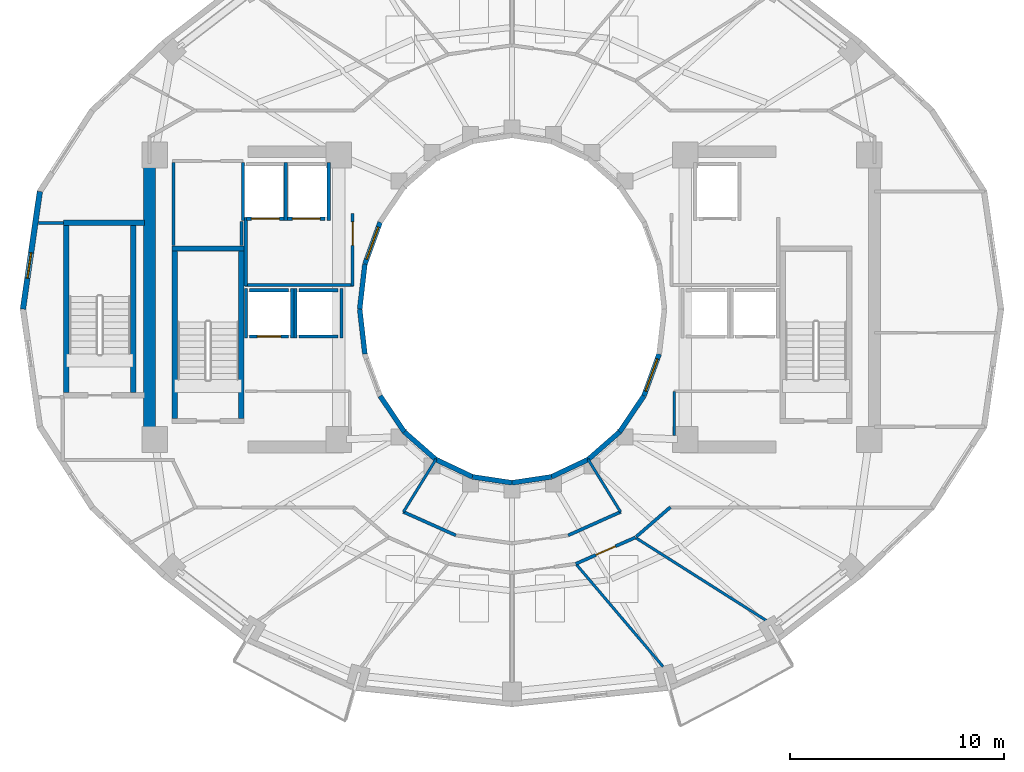
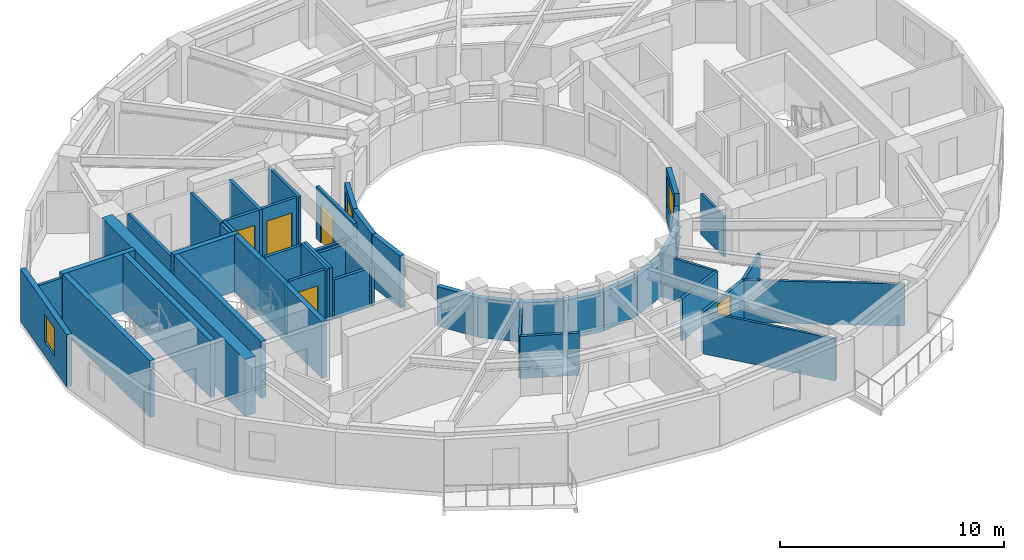
# One storey, part 4 of 10: 48 walls, 5 doors, 3 windows, 8 openings.
"""IFC4 building model written with IfcOpenShell, lengths in metres."""

from ifc_helpers import new_model, si_unit, direction, frame, frame_2d, origin, place, context, subcontext, project, spatial, rectangle, extrude, material, layer, layer_set, type_object, element, fill, save


model = new_model("IFC4")

# Units and contexts
model_context = context("Model", 3, precision=1e-05, world=origin(), true_north=direction((0.0, 1.0)))
body_context = subcontext(model_context, "Body", "Model", "MODEL_VIEW")
ifc_project = project(units=[si_unit("LENGTHUNIT", "METRE"), si_unit("AREAUNIT", "SQUARE_METRE"), si_unit("VOLUMEUNIT", "CUBIC_METRE"), si_unit("PLANEANGLEUNIT", "RADIAN"), si_unit("MASSUNIT", "GRAM", prefix="KILO")], contexts=[model_context])

# Site, building, storey
site_placement = place(None, origin())
site = spatial("IfcSite", under=ifc_project, at=site_placement, CompositionType="ELEMENT")
building_placement = place(site_placement, origin())
building = spatial("IfcBuilding", under=site, at=building_placement, Name="Solvane Sanctuary Tower", CompositionType="ELEMENT")
storey_placement = place(building_placement, frame((0.0, 0.0, 183.89990234375)))
storey = spatial("IfcBuildingStorey", under=building, at=storey_placement, Name="L56", CompositionType="ELEMENT", Elevation=183.89990234375)

# Walls
ifc_material_1 = material(Name="Concrete C50/60", Category="concrete")
ifc_layer_1 = layer(ifc_material_1, 0.550048828125, Name="Concrete C50/60")
ifc_layer_set_1 = layer_set([ifc_layer_1], Name="Concrete C50/60")
wall_type_1 = type_object("IfcWallType", Name="Wall W-CORE-550", PredefinedType="SHEAR", material=ifc_layer_set_1)
wall_1_placement = place(storey_placement, frame((15.050048828125, 17.050048828125, 0.0), z_axis=(0.0, 0.0, 1.0), x_axis=(0.0, 1.0, 0.0)))
element("IfcWall", 1, at=wall_1_placement, inside=storey, type_object=wall_type_1, Name="L56 Core Shear Wall WC-W", PredefinedType="SHEAR", context=body_context, shape_type="SweptSolid", body=[
    extrude(rectangle(XDim=12.800048828125, YDim=0.550048828125, at=frame_2d((6.39990234375, 0.0))), origin(), (0.0, 0.0, 1.0), 3.10009765625),
])
ifc_material_2 = material(Name="Acoustic Gypsum Partition Board")
ifc_layer_2 = layer(ifc_material_2, 0.14990234375, Name="Acoustic Gypsum Partition Board")
ifc_layer_set_2 = layer_set([ifc_layer_2], Name="Acoustic Gypsum Partition Board")
wall_type_2 = type_object("IfcWallType", Name="Wall W-CORR-150", PredefinedType="PARTITIONING", material=ifc_layer_set_2)
wall_2_placement = place(storey_placement, frame((19.52001953125, 24.1201171875, 0.0), z_axis=(0.0, 0.0, 1.0), x_axis=(1.0, 0.0, 0.0)))
element("IfcWall", 2, at=wall_2_placement, inside=storey, type_object=wall_type_2, Name="L56 West Firefighting Lobby South Wall", PredefinedType="PARTITIONING", context=body_context, shape_type="SweptSolid", body=[
    extrude(rectangle(XDim=5.080078125, YDim=0.14990234375, at=frame_2d((2.5400390625, 0.0))), origin(), (0.0, 0.0, 1.0), 2.1201171875),
])
wall_3_placement = place(storey_placement, frame((19.550048828125, 24.080078125, 0.0), z_axis=(0.0, 0.0, 1.0), x_axis=(0.0, 1.0, 0.0)))
element("IfcWall", 3, at=wall_3_placement, inside=storey, type_object=wall_type_2, Name="L56 West Firefighting Lobby West Wall", PredefinedType="PARTITIONING", context=body_context, shape_type="SweptSolid", body=[
    extrude(rectangle(XDim=3.199951171875, YDim=0.14990234375, at=frame_2d((1.60009765625, 0.0))), origin(), (0.0, 0.0, 1.0), 2.85498046875),
])

# Wall, opening, door
wall_4_placement = place(storey_placement, frame((24.550048828125, 24.080078125, 0.0), z_axis=(0.0, 0.0, 1.0), x_axis=(0.0, 1.0, 0.0)))
wall_4 = element("IfcWall", 4, at=wall_4_placement, inside=storey, type_object=wall_type_2, Name="L56 West Firefighting Lobby East Wall", PredefinedType="PARTITIONING", context=body_context, shape_type="SweptSolid", body=[
    extrude(rectangle(XDim=3.39990234375, YDim=0.14990234375, at=frame_2d((1.699951171875, 0.0))), origin(), (0.0, 0.0, 1.0), 2.85498046875),
])
opening_1_placement = place(wall_4_placement, frame((1.893798828125, 0.0, 0.0)))
opening_1 = element("IfcOpeningElement", 5, at=opening_1_placement, cuts=wall_4, Name="Opening D-L56-08", PredefinedType="OPENING", context=body_context, shape_type="SweptSolid", body=[
    extrude(rectangle(XDim=1.10009765625, YDim=2.10009765625, at=frame_2d((0.550048828125, 1.050048828125))), frame((0.0, 0.0849609375, 0.0), z_axis=(0.0, -1.0, 0.0), x_axis=(1.0, 0.0, 0.0)), (0.0, 0.0, 1.0), 0.169921875),
])
ifc_material_3 = material(Name="Architectural Stainless Steel 316", Category="steel")
door_type_1 = type_object("IfcDoorType", Name="Door D-FFL", OperationType="NOTDEFINED", PredefinedType="DOOR", material=ifc_material_3)
door_1_placement = place(opening_1_placement, origin())
door_1 = element("IfcDoor", 6, at=door_1_placement, inside=storey, type_object=door_type_1, Name="L56 West Firefighting Lobby Fire Door", OperationType="SINGLE_SWING_RIGHT", OverallHeight=2.10009765625, OverallWidth=1.10009765625, PredefinedType="DOOR", context=body_context, shape_type="SweptSolid", body=[
    extrude(rectangle(XDim=1.10009765625, YDim=2.10009765625, at=frame_2d((0.550048828125, 1.050048828125))), frame((0.0, 0.02490234375, 0.0), z_axis=(0.0, -1.0, 0.0), x_axis=(1.0, 0.0, 0.0)), (0.0, 0.0, 1.0), 0.050048828125),
])
fill(opening_1, door_1)

# Walls
wall_5_placement = place(storey_placement, frame((9.869873046875, 27.030029296875, 0.0), z_axis=(0.0, 0.0, 1.0), x_axis=(1.0, 0.0, 0.0)))
element("IfcWall", 7, at=wall_5_placement, inside=storey, type_object=wall_type_2, Name="L56 NW Corner Closer 1", PredefinedType="PARTITIONING", context=body_context, shape_type="SweptSolid", body=[
    extrude(rectangle(XDim=1.170166015625, YDim=0.14990234375, at=frame_2d((0.5849609375, 0.0))), origin(), (0.0, 0.0, 1.0), 2.85498046875),
])
wall_6_placement = place(storey_placement, frame((37.806640625, 12.35791015625, 0.0), z_axis=(0.0, 0.0, 1.0), x_axis=(0.756055312247, 0.654507727092, 0.0)))
element("IfcWall", 8, at=wall_6_placement, inside=storey, type_object=wall_type_2, Name="L56 SE Corner Throat Wall", PredefinedType="PARTITIONING", context=body_context, shape_type="SweptSolid", body=[
    extrude(rectangle(XDim=2.11083984375, YDim=0.14990234375, at=frame_2d((1.055419921875, 0.0))), origin(), (0.0, 0.0, 1.0), 2.299072265625),
])
for number, where, z_axis, x_axis, name in (
    (9, (26.9189453125, 13.520751953125, 0.0), (0.0, 0.0, 1.0), (0.912888568324, -0.408208845842, 0.0), "L56 Inner Light-Well Corridor Wall S1"),
    (10, (34.625244140625, 12.422607421875, 0.0), (0.0, 0.0, 1.0), (0.912888568324, 0.408208845842, 0.0), "L56 Inner Light-Well Corridor Wall S1"),
):
    element("IfcWall", number, at=place(storey_placement, frame(where, z_axis=z_axis, x_axis=x_axis)), inside=storey, type_object=wall_type_2, Name=name, PredefinedType="PARTITIONING", context=body_context, shape_type="SweptSolid", body=[
        extrude(rectangle(XDim=2.690185546875, YDim=0.14990234375, at=frame_2d((1.34521484375, 0.0))), origin(), (0.0, 0.0, 1.0), 2.299072265625),
    ])

# Wall, opening, door
wall_7_placement = place(storey_placement, frame((34.976318359375, 11.087890625, 0.0), z_axis=(0.0, 0.0, 1.0), x_axis=(0.914324470734, 0.404982422108, 0.0)))
wall_7 = element("IfcWall", 11, at=wall_7_placement, inside=storey, type_object=wall_type_2, Name="L56 Unit Corridor Wall S4", PredefinedType="PARTITIONING", context=body_context, shape_type="SweptSolid", body=[
    extrude(rectangle(XDim=3.0576171875, YDim=0.14990234375, at=frame_2d((1.52880859375, 0.0))), origin(), (0.0, 0.0, 1.0), 2.299072265625),
])
opening_2_placement = place(wall_7_placement, frame((1.02880859375, 0.0, 0.0)))
opening_2 = element("IfcOpeningElement", 12, at=opening_2_placement, cuts=wall_7, Name="Opening D-L56-31", PredefinedType="OPENING", context=body_context, shape_type="SweptSolid", body=[
    extrude(rectangle(XDim=1.0, YDim=2.10009765625, at=frame_2d((0.5, 1.050048828125))), frame((0.0, 0.0849609375, 0.0), z_axis=(0.0, -1.0, 0.0), x_axis=(1.0, 0.0, 0.0)), (0.0, 0.0, 1.0), 0.169921875),
])
ifc_material_4 = material(Name="Engineered Tropical Hardwood", Category="wood")
door_type_2 = type_object("IfcDoorType", Name="Door D-UNIT", OperationType="NOTDEFINED", PredefinedType="DOOR", material=ifc_material_4)
door_2_placement = place(opening_2_placement, origin())
door_2 = element("IfcDoor", 13, at=door_2_placement, inside=storey, type_object=door_type_2, Name="L56 Unit Entrance Door S4", OperationType="SINGLE_SWING_LEFT", OverallHeight=2.10009765625, OverallWidth=1.0, PredefinedType="DOOR", context=body_context, shape_type="SweptSolid", body=[
    extrude(rectangle(XDim=1.0, YDim=2.10009765625, at=frame_2d((0.5, 1.050048828125))), frame((0.0, 0.02490234375, 0.0), z_axis=(0.0, -1.0, 0.0), x_axis=(1.0, 0.0, 0.0)), (0.0, 0.0, 1.0), 0.050048828125),
])
fill(opening_2, door_2)

# Wall, opening, window
ifc_material_5 = material(Name="Precast concrete C40/50", Category="concrete")
ifc_layer_3 = layer(ifc_material_5, 0.260009765625, Name="Precast concrete C40/50")
ifc_layer_set_3 = layer_set([ifc_layer_3], Name="Precast concrete C40/50")
wall_type_3 = type_object("IfcWallType", Name="Wall W-EXT-250", PredefinedType="STANDARD", material=ifc_layer_set_3)
wall_8_placement = place(storey_placement, frame((9.9296875, 28.49658203125, 0.0), z_axis=(0.0, 0.0, 1.0), x_axis=(-0.142227632286, -0.989833976288, 0.0)))
wall_8 = element("IfcWall", 14, at=wall_8_placement, inside=storey, type_object=wall_type_3, Name="L56 Ceramic-Printed Facade Wall 11", PredefinedType="STANDARD", context=body_context, shape_type="SweptSolid", body=[
    extrude(rectangle(XDim=5.552978515625, YDim=0.260009765625, at=frame_2d((2.7763671875, 0.0))), origin(), (0.0, 0.0, 1.0), 2.85009765625),
])
opening_3_placement = place(wall_8_placement, frame((2.892333984375, 0.0, 0.75)))
opening_3 = element("IfcOpeningElement", 15, at=opening_3_placement, cuts=wall_8, Name="Opening WN-OPER-1200", PredefinedType="OPENING", context=body_context, shape_type="SweptSolid", body=[
    extrude(rectangle(XDim=1.199951171875, YDim=1.5, at=frame_2d((0.60009765625, 0.75))), frame((0.0, 0.139892578125, 0.0), z_axis=(0.0, -1.0, 0.0), x_axis=(1.0, 0.0, 0.0)), (0.0, 0.0, 1.0), 0.280029296875),
])
ifc_material_6 = material(Name="Dark Ceramic-Fritted Low-E Glass", Category="glass")
window_type_1 = type_object("IfcWindowType", Name="Window WN-OPER-1200", PartitioningType="SINGLE_PANEL", PredefinedType="WINDOW", material=ifc_material_6)
window_1_placement = place(opening_3_placement, origin())
window_1 = element("IfcWindow", 16, at=window_1_placement, inside=storey, type_object=window_type_1, Name="L56 Operable Facade Window 11", OverallHeight=1.5, OverallWidth=1.199951171875, PartitioningType="SINGLE_PANEL", PredefinedType="WINDOW", context=body_context, shape_type="SweptSolid", body=[
    extrude(rectangle(XDim=1.199951171875, YDim=1.5, at=frame_2d((0.60009765625, 0.75))), frame((0.0, 0.030029296875, 0.0), z_axis=(0.0, -1.0, 0.0), x_axis=(1.0, 0.0, 0.0)), (0.0, 0.0, 1.0), 0.06005859375),
])
fill(opening_3, window_1)

ifc_layer_4 = layer(ifc_material_5, 0.22998046875, Name="Precast concrete C40/50")
ifc_layer_set_4 = layer_set([ifc_layer_4], Name="Precast concrete C40/50")
wall_type_4 = type_object("IfcWallType", Name="Wall W-EXT-SP220", PredefinedType="STANDARD", material=ifc_layer_set_4)
wall_9_placement = place(storey_placement, frame((25.833984375, 27.06005859375, 0.0), z_axis=(0.0, 0.0, 1.0), x_axis=(-0.341423187295, -0.93990968033, 0.0)))
wall_9 = element("IfcWall", 17, at=wall_9_placement, inside=storey, type_object=wall_type_4, Name="L56 Central Light-Well Wall 10", PredefinedType="STANDARD", context=body_context, shape_type="SweptSolid", body=[
    extrude(rectangle(XDim=2.083740234375, YDim=0.22998046875, at=frame_2d((1.0419921875, 0.0))), origin(), (0.0, 0.0, 1.0), 2.840087890625),
])
opening_4_placement = place(wall_9_placement, frame((0.24169921875, 0.0, 0.85009765625)))
opening_4 = element("IfcOpeningElement", 18, at=opening_4_placement, cuts=wall_9, Name="Opening WN-WELL-1600", PredefinedType="OPENING", context=body_context, shape_type="SweptSolid", body=[
    extrude(rectangle(XDim=1.60009765625, YDim=1.64990234375, at=frame_2d((0.800048828125, 0.824951171875))), frame((0.0, 0.125, 0.0), z_axis=(0.0, -1.0, 0.0), x_axis=(1.0, 0.0, 0.0)), (0.0, 0.0, 1.0), 0.25),
])
ifc_material_7 = material(Name="Clear Laminated Light-Well Glass", Category="glass")
window_type_2 = type_object("IfcWindowType", Name="Window WN-WELL-1600", PartitioningType="SINGLE_PANEL", PredefinedType="WINDOW", material=ifc_material_7)
window_2_placement = place(opening_4_placement, origin())
window_2 = element("IfcWindow", 19, at=window_2_placement, inside=storey, type_object=window_type_2, Name="L56 Light-Well Daylight Window 10", OverallHeight=1.64990234375, OverallWidth=1.60009765625, PartitioningType="SINGLE_PANEL", PredefinedType="WINDOW", context=body_context, shape_type="SweptSolid", body=[
    extrude(rectangle(XDim=1.60009765625, YDim=1.64990234375, at=frame_2d((0.800048828125, 0.824951171875))), frame((0.0, 0.030029296875, 0.0), z_axis=(0.0, -1.0, 0.0), x_axis=(1.0, 0.0, 0.0)), (0.0, 0.0, 1.0), 0.06005859375),
])
fill(opening_4, window_2)

# Walls
for number, where, z_axis, x_axis, name in (
    (20, (25.12255859375, 25.1015625, 0.0), (0.0, 0.0, 1.0), (-0.114711713601, -0.993398823617, 0.0), "L56 Central Light-Well Wall 11"),
    (21, (24.8798828125, 23.0, 0.0), (0.0, 0.0, 1.0), (0.114711713601, -0.993398823617, 0.0), "L56 Central Light-Well Wall 12"),
):
    element("IfcWall", number, at=place(storey_placement, frame(where, z_axis=z_axis, x_axis=x_axis)), inside=storey, type_object=wall_type_4, Name=name, PredefinedType="STANDARD", context=body_context, shape_type="SweptSolid", body=[
        extrude(rectangle(XDim=2.115478515625, YDim=0.22998046875, at=frame_2d((1.0576171875, 0.0))), origin(), (0.0, 0.0, 1.0), 2.840087890625),
    ])
wall_10_placement = place(storey_placement, frame((25.833984375, 18.93994140625, 0.0), z_axis=(0.0, 0.0, 1.0), x_axis=(0.558197800898, -0.829707909492, 0.0)))
element("IfcWall", 22, at=wall_10_placement, inside=storey, type_object=wall_type_4, Name="L56 Central Light-Well Wall 14", PredefinedType="STANDARD", context=body_context, shape_type="SweptSolid", body=[
    extrude(rectangle(XDim=2.02685546875, YDim=0.22998046875, at=frame_2d((1.013427734375, 0.0))), origin(), (0.0, 0.0, 1.0), 2.16015625),
])
wall_11_placement = place(storey_placement, frame((26.96533203125, 17.25830078125, 0.0), z_axis=(0.0, 0.0, 1.0), x_axis=(0.752576694707, -0.658504607869, 0.0)))
element("IfcWall", 23, at=wall_11_placement, inside=storey, type_object=wall_type_4, Name="L56 Central Light-Well Wall 15", PredefinedType="STANDARD", context=body_context, shape_type="SweptSolid", body=[
    extrude(rectangle(XDim=1.95947265625, YDim=0.22998046875, at=frame_2d((0.979736328125, 0.0))), origin(), (0.0, 0.0, 1.0), 2.16015625),
])
wall_12_placement = place(storey_placement, frame((28.43994140625, 15.968017578125, 0.0), z_axis=(0.0, 0.0, 1.0), x_axis=(0.904179699603, -0.427152280606, 0.0)))
element("IfcWall", 24, at=wall_12_placement, inside=storey, type_object=wall_type_4, Name="L56 Central Light-Well Wall 16", PredefinedType="STANDARD", context=body_context, shape_type="SweptSolid", body=[
    extrude(rectangle(XDim=1.899169921875, YDim=0.22998046875, at=frame_2d((0.94970703125, 0.0))), origin(), (0.0, 0.0, 1.0), 2.16015625),
])
for number, where, z_axis, x_axis, name in (
    (25, (30.1572265625, 15.15673828125, 0.0), (0.0, 0.0, 1.0), (0.988901730308, -0.148571086668, 0.0), "L56 Central Light-Well Wall 17"),
    (26, (32.0, 14.8798828125, 0.0), (0.0, 0.0, 1.0), (0.988901730308, 0.148571086668, 0.0), "L56 Central Light-Well Wall 18"),
):
    element("IfcWall", number, at=place(storey_placement, frame(where, z_axis=z_axis, x_axis=x_axis)), inside=storey, type_object=wall_type_4, Name=name, PredefinedType="STANDARD", context=body_context, shape_type="SweptSolid", body=[
        extrude(rectangle(XDim=1.863525390625, YDim=0.22998046875, at=frame_2d((0.931640625, 0.0))), origin(), (0.0, 0.0, 1.0), 2.16015625),
    ])
wall_13_placement = place(storey_placement, frame((33.8427734375, 15.15673828125, 0.0), z_axis=(0.0, 0.0, 1.0), x_axis=(0.904179699603, 0.427152280606, 0.0)))
element("IfcWall", 27, at=wall_13_placement, inside=storey, type_object=wall_type_4, Name="L56 Central Light-Well Wall 19", PredefinedType="STANDARD", context=body_context, shape_type="SweptSolid", body=[
    extrude(rectangle(XDim=1.899169921875, YDim=0.22998046875, at=frame_2d((0.94970703125, 0.0))), origin(), (0.0, 0.0, 1.0), 2.16015625),
])
wall_14_placement = place(storey_placement, frame((35.56005859375, 15.968017578125, 0.0), z_axis=(0.0, 0.0, 1.0), x_axis=(0.752576694707, 0.658504607869, 0.0)))
element("IfcWall", 28, at=wall_14_placement, inside=storey, type_object=wall_type_4, Name="L56 Central Light-Well Wall 20", PredefinedType="STANDARD", context=body_context, shape_type="SweptSolid", body=[
    extrude(rectangle(XDim=1.95947265625, YDim=0.22998046875, at=frame_2d((0.979736328125, 0.0))), origin(), (0.0, 0.0, 1.0), 2.16015625),
])
wall_15_placement = place(storey_placement, frame((37.03466796875, 17.25830078125, 0.0), z_axis=(0.0, 0.0, 1.0), x_axis=(0.558197800898, 0.829707909492, 0.0)))
element("IfcWall", 29, at=wall_15_placement, inside=storey, type_object=wall_type_4, Name="L56 Central Light-Well Wall 21", PredefinedType="STANDARD", context=body_context, shape_type="SweptSolid", body=[
    extrude(rectangle(XDim=2.02685546875, YDim=0.22998046875, at=frame_2d((1.013427734375, 0.0))), origin(), (0.0, 0.0, 1.0), 2.16015625),
])

# Wall, opening, window
wall_16_placement = place(storey_placement, frame((38.166015625, 18.93994140625, 0.0), z_axis=(0.0, 0.0, 1.0), x_axis=(0.341423187295, 0.93990968033, 0.0)))
wall_16 = element("IfcWall", 30, at=wall_16_placement, inside=storey, type_object=wall_type_4, Name="L56 Central Light-Well Wall 22", PredefinedType="STANDARD", context=body_context, shape_type="SweptSolid", body=[
    extrude(rectangle(XDim=2.083740234375, YDim=0.22998046875, at=frame_2d((1.0419921875, 0.0))), origin(), (0.0, 0.0, 1.0), 2.840087890625),
])
opening_5_placement = place(wall_16_placement, frame((0.24169921875, 0.0, 0.85009765625)))
opening_5 = element("IfcOpeningElement", 31, at=opening_5_placement, cuts=wall_16, Name="Opening WN-WELL-1600", PredefinedType="OPENING", context=body_context, shape_type="SweptSolid", body=[
    extrude(rectangle(XDim=1.60009765625, YDim=1.64990234375, at=frame_2d((0.800048828125, 0.824951171875))), frame((0.0, 0.125, 0.0), z_axis=(0.0, -1.0, 0.0), x_axis=(1.0, 0.0, 0.0)), (0.0, 0.0, 1.0), 0.25),
])
window_3_placement = place(opening_5_placement, origin())
window_3 = element("IfcWindow", 32, at=window_3_placement, inside=storey, type_object=window_type_2, Name="L56 Light-Well Daylight Window 22", OverallHeight=1.64990234375, OverallWidth=1.60009765625, PartitioningType="SINGLE_PANEL", PredefinedType="WINDOW", context=body_context, shape_type="SweptSolid", body=[
    extrude(rectangle(XDim=1.60009765625, YDim=1.64990234375, at=frame_2d((0.800048828125, 0.824951171875))), frame((0.0, 0.030029296875, 0.0), z_axis=(0.0, -1.0, 0.0), x_axis=(1.0, 0.0, 0.0)), (0.0, 0.0, 1.0), 0.06005859375),
])
fill(opening_5, window_3)

# Walls
ifc_layer_5 = layer(ifc_material_2, 0.125, Name="Acoustic Gypsum Partition Board")
ifc_layer_set_5 = layer_set([ifc_layer_5], Name="Acoustic Gypsum Partition Board")
wall_type_5 = type_object("IfcWallType", Name="Wall W-PART-125", PredefinedType="PARTITIONING", material=ifc_layer_set_5)
wall_17_placement = place(storey_placement, frame((39.580078125, 17.10009765625, 0.0), z_axis=(0.0, 0.0, 1.0), x_axis=(0.0, 1.0, 0.0)))
element("IfcWall", 33, at=wall_17_placement, inside=storey, type_object=wall_type_5, Name="L56 Reclaimed Room Closer Wall PLE-1", PredefinedType="PARTITIONING", context=body_context, shape_type="SweptSolid", body=[
    extrude(rectangle(XDim=2.039794921875, YDim=0.125, at=frame_2d((1.02001953125, 0.0))), origin(), (0.0, 0.0, 1.0), 2.232177734375),
])
for number, where, z_axis, x_axis, name in (
    (34, (28.449951171875, 15.985107421875, 0.0), (0.0, 0.0, 1.0), (-0.525627246902, -0.850714991824, 0.0), "L56 Inner Light-Well Radial Wall 240"),
    (35, (35.550048828125, 15.985107421875, 0.0), (0.0, 0.0, 1.0), (0.525627246902, -0.850714991824, 0.0), "L56 Inner Light-Well Radial Wall 300"),
):
    element("IfcWall", number, at=place(storey_placement, frame(where, z_axis=z_axis, x_axis=x_axis)), inside=storey, type_object=wall_type_5, Name=name, PredefinedType="PARTITIONING", context=body_context, shape_type="SweptSolid", body=[
        extrude(rectangle(XDim=2.901123046875, YDim=0.125, at=frame_2d((1.45068359375, 0.0))), origin(), (0.0, 0.0, 1.0), 2.299072265625),
    ])
wall_18_placement = place(storey_placement, frame((35.019775390625, 11.048095703125, 0.0), z_axis=(0.0, 0.0, 1.0), x_axis=(0.647173462792, -0.762342776615, 0.0)))
element("IfcWall", 36, at=wall_18_placement, inside=storey, type_object=wall_type_5, Name="L56 Radial Compartment Wall 285", PredefinedType="PARTITIONING", context=body_context, shape_type="SweptSolid", body=[
    extrude(rectangle(XDim=6.25341796875, YDim=0.125, at=frame_2d((3.126708984375, 0.0))), origin(), (0.0, 0.0, 1.0), 2.299072265625),
])
wall_19_placement = place(storey_placement, frame((37.8115234375, 12.29248046875, 0.0), z_axis=(0.0, 0.0, 1.0), x_axis=(0.844640430122, -0.535334048799, 0.0)))
element("IfcWall", 37, at=wall_19_placement, inside=storey, type_object=wall_type_5, Name="L56 Radial Compartment Wall 300", PredefinedType="PARTITIONING", context=body_context, shape_type="SweptSolid", body=[
    extrude(rectangle(XDim=7.188232421875, YDim=0.125, at=frame_2d((3.59423828125, 0.0))), origin(), (0.0, 0.0, 1.0), 2.299072265625),
])

# Wall, opening, door
ifc_layer_6 = layer(ifc_material_1, 0.14990234375, Name="Concrete C50/60")
ifc_layer_set_6 = layer_set([ifc_layer_6], Name="Concrete C50/60")
wall_type_6 = type_object("IfcWallType", Name="Wall W-SHAFT-150", PredefinedType="SOLIDWALL", material=ifc_layer_set_6)
wall_20_placement = place(storey_placement, frame((19.739990234375, 21.719970703125, 0.0), z_axis=(0.0, 0.0, 1.0), x_axis=(1.0, 0.0, 0.0)))
wall_20 = element("IfcWall", 38, at=wall_20_placement, inside=storey, type_object=wall_type_6, Name="L56 PM-1 Lift Shaft Wall F", PredefinedType="SOLIDWALL", context=body_context, shape_type="SweptSolid", body=[
    extrude(rectangle(XDim=1.820068359375, YDim=0.14990234375, at=frame_2d((0.91015625, 0.0))), origin(), (0.0, 0.0, 1.0), 2.85498046875),
])
opening_6_placement = place(wall_20_placement, frame((0.360107421875, 0.0, 0.0)))
opening_6 = element("IfcOpeningElement", 39, at=opening_6_placement, cuts=wall_20, Name="Opening LD-L56-01", PredefinedType="OPENING", context=body_context, shape_type="SweptSolid", body=[
    extrude(rectangle(XDim=1.10009765625, YDim=2.10009765625, at=frame_2d((0.550048828125, 1.050048828125))), frame((0.0, 0.0849609375, 0.0), z_axis=(0.0, -1.0, 0.0), x_axis=(1.0, 0.0, 0.0)), (0.0, 0.0, 1.0), 0.169921875),
])
door_type_3 = type_object("IfcDoorType", Name="Door LD-PASS-1100", OperationType="NOTDEFINED", PredefinedType="DOOR", material=ifc_material_3)
door_3_placement = place(opening_6_placement, origin())
door_3 = element("IfcDoor", 40, at=door_3_placement, inside=storey, type_object=door_type_3, Name="L56 PM-1 Lift Landing Door", OperationType="DOUBLE_DOOR_SLIDING", OverallHeight=2.10009765625, OverallWidth=1.10009765625, PredefinedType="DOOR", context=body_context, shape_type="SweptSolid", body=[
    extrude(rectangle(XDim=1.10009765625, YDim=2.10009765625, at=frame_2d((0.550048828125, 1.050048828125))), frame((0.0, 0.02490234375, 0.0), z_axis=(0.0, -1.0, 0.0), x_axis=(1.0, 0.0, 0.0)), (0.0, 0.0, 1.0), 0.050048828125),
])
fill(opening_6, door_3)

# Walls
wall_21_placement = place(storey_placement, frame((19.739990234375, 23.8798828125, 0.0), z_axis=(0.0, 0.0, 1.0), x_axis=(1.0, 0.0, 0.0)))
element("IfcWall", 41, at=wall_21_placement, inside=storey, type_object=wall_type_6, Name="L56 PM-1 Lift Shaft Wall B", PredefinedType="SOLIDWALL", context=body_context, shape_type="SweptSolid", body=[
    extrude(rectangle(XDim=1.820068359375, YDim=0.14990234375, at=frame_2d((0.91015625, 0.0))), origin(), (0.0, 0.0, 1.0), 2.85498046875),
])
for number, where, z_axis, x_axis, name in (
    (42, (19.570068359375, 21.639892578125, 0.0), (0.0, 0.0, 1.0), (0.0, 1.0, 0.0), "L56 PM-1 Lift Shaft Wall S1"),
    (43, (21.72998046875, 21.639892578125, 0.0), (0.0, 0.0, 1.0), (0.0, 1.0, 0.0), "L56 PM-1 Lift Shaft Wall S2"),
):
    element("IfcWall", number, at=place(storey_placement, frame(where, z_axis=z_axis, x_axis=x_axis)), inside=storey, type_object=wall_type_6, Name=name, PredefinedType="SOLIDWALL", context=body_context, shape_type="SweptSolid", body=[
        extrude(rectangle(XDim=2.320068359375, YDim=0.14990234375, at=frame_2d((1.16015625, 0.0))), origin(), (0.0, 0.0, 1.0), 2.85498046875),
    ])
for number, where, z_axis, x_axis, name in (
    (44, (22.0400390625, 21.719970703125, 0.0), (0.0, 0.0, 1.0), (1.0, 0.0, 0.0), "L56 PH-1 Lift Shaft Wall F"),
    (45, (22.0400390625, 23.8798828125, 0.0), (0.0, 0.0, 1.0), (1.0, 0.0, 0.0), "L56 PH-1 Lift Shaft Wall B"),
):
    element("IfcWall", number, at=place(storey_placement, frame(where, z_axis=z_axis, x_axis=x_axis)), inside=storey, type_object=wall_type_6, Name=name, PredefinedType="SOLIDWALL", context=body_context, shape_type="SweptSolid", body=[
        extrude(rectangle(XDim=1.820068359375, YDim=0.14990234375, at=frame_2d((0.91015625, 0.0))), origin(), (0.0, 0.0, 1.0), 2.1201171875),
    ])
wall_22_placement = place(storey_placement, frame((21.8701171875, 21.639892578125, 0.0), z_axis=(0.0, 0.0, 1.0), x_axis=(0.0, 1.0, 0.0)))
element("IfcWall", 46, at=wall_22_placement, inside=storey, type_object=wall_type_6, Name="L56 PH-1 Lift Shaft Wall S1", PredefinedType="SOLIDWALL", context=body_context, shape_type="SweptSolid", body=[
    extrude(rectangle(XDim=2.320068359375, YDim=0.14990234375, at=frame_2d((1.16015625, 0.0))), origin(), (0.0, 0.0, 1.0), 2.85498046875),
])
wall_23_placement = place(storey_placement, frame((24.030029296875, 21.639892578125, 0.0), z_axis=(0.0, 0.0, 1.0), x_axis=(0.0, 1.0, 0.0)))
element("IfcWall", 47, at=wall_23_placement, inside=storey, type_object=wall_type_6, Name="L56 PH-1 Lift Shaft Wall S2", PredefinedType="SOLIDWALL", context=body_context, shape_type="SweptSolid", body=[
    extrude(rectangle(XDim=2.320068359375, YDim=0.14990234375, at=frame_2d((1.16015625, 0.0))), origin(), (0.0, 0.0, 1.0), 2.1201171875),
])

# Wall, opening, door
wall_24_placement = place(storey_placement, frame((19.590087890625, 27.219970703125, 0.0), z_axis=(0.0, 0.0, 1.0), x_axis=(1.0, 0.0, 0.0)))
wall_24 = element("IfcWall", 48, at=wall_24_placement, inside=storey, type_object=wall_type_6, Name="L56 FFL-1 Lift Shaft Wall F", PredefinedType="SOLIDWALL", context=body_context, shape_type="SweptSolid", body=[
    extrude(rectangle(XDim=1.760009765625, YDim=0.14990234375, at=frame_2d((0.8798828125, 0.0))), origin(), (0.0, 0.0, 1.0), 2.85498046875),
])
opening_7_placement = place(wall_24_placement, frame((0.22998046875, 0.0, 0.0)))
opening_7 = element("IfcOpeningElement", 49, at=opening_7_placement, cuts=wall_24, Name="Opening LD-L56-03", PredefinedType="OPENING", context=body_context, shape_type="SweptSolid", body=[
    extrude(rectangle(XDim=1.300048828125, YDim=2.10009765625, at=frame_2d((0.64990234375, 1.050048828125))), frame((0.0, 0.0849609375, 0.0), z_axis=(0.0, -1.0, 0.0), x_axis=(1.0, 0.0, 0.0)), (0.0, 0.0, 1.0), 0.169921875),
])
door_type_4 = type_object("IfcDoorType", Name="Door LD-FFL-1300", OperationType="NOTDEFINED", PredefinedType="DOOR", material=ifc_material_3)
door_4_placement = place(opening_7_placement, origin())
door_4 = element("IfcDoor", 50, at=door_4_placement, inside=storey, type_object=door_type_4, Name="L56 FFL-1 Lift Landing Door", OperationType="DOUBLE_DOOR_SLIDING", OverallHeight=2.10009765625, OverallWidth=1.300048828125, PredefinedType="DOOR", context=body_context, shape_type="SweptSolid", body=[
    extrude(rectangle(XDim=1.300048828125, YDim=2.10009765625, at=frame_2d((0.64990234375, 1.050048828125))), frame((0.0, 0.02490234375, 0.0), z_axis=(0.0, -1.0, 0.0), x_axis=(1.0, 0.0, 0.0)), (0.0, 0.0, 1.0), 0.050048828125),
])
fill(opening_7, door_4)

# Walls
for number, where, z_axis, x_axis, name in (
    (51, (19.419921875, 27.139892578125, 0.0), (0.0, 0.0, 1.0), (0.0, 1.0, 0.0), "L56 FFL-1 Lift Shaft Wall S1"),
    (52, (21.425048828125, 27.139892578125, 0.0), (0.0, 0.0, 1.0), (0.0, 1.0, 0.0), "L56 FFL-1 Lift Shaft Wall S2"),
):
    element("IfcWall", number, at=place(storey_placement, frame(where, z_axis=z_axis, x_axis=x_axis)), inside=storey, type_object=wall_type_6, Name=name, PredefinedType="SOLIDWALL", context=body_context, shape_type="SweptSolid", body=[
        extrude(rectangle(XDim=2.72021484375, YDim=0.14990234375, at=frame_2d((1.360107421875, 0.0))), origin(), (0.0, 0.0, 1.0), 2.85498046875),
    ])

# Wall, opening, door
wall_25_placement = place(storey_placement, frame((21.5, 27.219970703125, 0.0), z_axis=(0.0, 0.0, 1.0), x_axis=(1.0, 0.0, 0.0)))
wall_25 = element("IfcWall", 53, at=wall_25_placement, inside=storey, type_object=wall_type_6, Name="L56 SVL-1 Lift Shaft Wall F", PredefinedType="SOLIDWALL", context=body_context, shape_type="SweptSolid", body=[
    extrude(rectangle(XDim=1.760009765625, YDim=0.14990234375, at=frame_2d((0.8798828125, 0.0))), origin(), (0.0, 0.0, 1.0), 2.85498046875),
])
opening_8_placement = place(wall_25_placement, frame((0.22998046875, 0.0, 0.0)))
opening_8 = element("IfcOpeningElement", 54, at=opening_8_placement, cuts=wall_25, Name="Opening LD-L56-04", PredefinedType="OPENING", context=body_context, shape_type="SweptSolid", body=[
    extrude(rectangle(XDim=1.300048828125, YDim=2.10009765625, at=frame_2d((0.64990234375, 1.050048828125))), frame((0.0, 0.0849609375, 0.0), z_axis=(0.0, -1.0, 0.0), x_axis=(1.0, 0.0, 0.0)), (0.0, 0.0, 1.0), 0.169921875),
])
door_5_placement = place(opening_8_placement, origin())
door_5 = element("IfcDoor", 55, at=door_5_placement, inside=storey, type_object=door_type_4, Name="L56 SVL-1 Lift Landing Door", OperationType="DOUBLE_DOOR_SLIDING", OverallHeight=2.10009765625, OverallWidth=1.300048828125, PredefinedType="DOOR", context=body_context, shape_type="SweptSolid", body=[
    extrude(rectangle(XDim=1.300048828125, YDim=2.10009765625, at=frame_2d((0.64990234375, 1.050048828125))), frame((0.0, 0.02490234375, 0.0), z_axis=(0.0, -1.0, 0.0), x_axis=(1.0, 0.0, 0.0)), (0.0, 0.0, 1.0), 0.050048828125),
])
fill(opening_8, door_5)

# Walls
wall_26_placement = place(storey_placement, frame((23.429931640625, 27.139892578125, 0.0), z_axis=(0.0, 0.0, 1.0), x_axis=(0.0, 1.0, 0.0)))
element("IfcWall", 56, at=wall_26_placement, inside=storey, type_object=wall_type_6, Name="L56 SVL-1 Lift Shaft Wall S2", PredefinedType="SOLIDWALL", context=body_context, shape_type="SweptSolid", body=[
    extrude(rectangle(XDim=2.72021484375, YDim=0.14990234375, at=frame_2d((1.360107421875, 0.0))), origin(), (0.0, 0.0, 1.0), 2.85498046875),
])
ifc_layer_7 = layer(ifc_material_1, 0.25, Name="Concrete C50/60")
ifc_layer_set_7 = layer_set([ifc_layer_7], Name="Concrete C50/60")
wall_type_7 = type_object("IfcWallType", Name="Wall W-SHAFT-250", PredefinedType="SOLIDWALL", material=ifc_layer_set_7)
wall_27_placement = place(storey_placement, frame((16.10498046875, 25.830078125, 0.0), z_axis=(0.0, 0.0, 1.0), x_axis=(1.0, 0.0, 0.0)))
element("IfcWall", 57, at=wall_27_placement, inside=storey, type_object=wall_type_7, Name="L56 ST-1 Load-Bearing Shaft Wall N", PredefinedType="SOLIDWALL", context=body_context, shape_type="SweptSolid", body=[
    extrude(rectangle(XDim=3.3701171875, YDim=0.25, at=frame_2d((1.68505859375, 0.0))), origin(), (0.0, 0.0, 1.0), 3.10009765625),
])
for number, where, z_axis, x_axis, name in (
    (58, (16.22998046875, 17.89501953125, 0.0), (0.0, 0.0, 1.0), (0.0, 1.0, 0.0), "L56 ST-1 Load-Bearing Shaft Wall W"),
    (59, (19.35009765625, 17.89501953125, 0.0), (0.0, 0.0, 1.0), (0.0, 1.0, 0.0), "L56 ST-1 Load-Bearing Shaft Wall E"),
):
    element("IfcWall", number, at=place(storey_placement, frame(where, z_axis=z_axis, x_axis=x_axis)), inside=storey, type_object=wall_type_7, Name=name, PredefinedType="SOLIDWALL", context=body_context, shape_type="SweptSolid", body=[
        extrude(rectangle(XDim=7.81005859375, YDim=0.25, at=frame_2d((3.905029296875, 0.0))), origin(), (0.0, 0.0, 1.0), 3.10009765625),
    ])
wall_28_placement = place(storey_placement, frame((11.044921875, 27.030029296875, 0.0), z_axis=(0.0, 0.0, 1.0), x_axis=(1.0, 0.0, 0.0)))
element("IfcWall", 60, at=wall_28_placement, inside=storey, type_object=wall_type_7, Name="L56 ST-3 Load-Bearing Shaft Wall N", PredefinedType="SOLIDWALL", context=body_context, shape_type="SweptSolid", body=[
    extrude(rectangle(XDim=3.781982421875, YDim=0.25, at=frame_2d((1.89111328125, 0.0))), origin(), (0.0, 0.0, 1.0), 3.10009765625),
])
for number, where, z_axis, x_axis, name in (
    (61, (11.169921875, 19.094970703125, 0.0), (0.0, 0.0, 1.0), (0.0, 1.0, 0.0), "L56 ST-3 Load-Bearing Shaft Wall W"),
    (62, (14.2900390625, 19.094970703125, 0.0), (0.0, 0.0, 1.0), (0.0, 1.0, 0.0), "L56 ST-3 Load-Bearing Shaft Wall E"),
):
    element("IfcWall", number, at=place(storey_placement, frame(where, z_axis=z_axis, x_axis=x_axis)), inside=storey, type_object=wall_type_7, Name=name, PredefinedType="SOLIDWALL", context=body_context, shape_type="SweptSolid", body=[
        extrude(rectangle(XDim=7.81005859375, YDim=0.25, at=frame_2d((3.905029296875, 0.0))), origin(), (0.0, 0.0, 1.0), 3.10009765625),
    ])
ifc_layer_8 = layer(ifc_material_2, 0.139892578125, Name="Acoustic Gypsum Partition Board")
ifc_layer_set_8 = layer_set([ifc_layer_8], Name="Acoustic Gypsum Partition Board")
wall_type_8 = type_object("IfcWallType", Name="Wall W-WET-140", PredefinedType="PLUMBINGWALL", material=ifc_layer_set_8)
wall_29_placement = place(storey_placement, frame((16.179931640625, 25.97998046875, 0.0), z_axis=(0.0, 0.0, 1.0), x_axis=(0.0, 1.0, 0.0)))
element("IfcWall", 63, at=wall_29_placement, inside=storey, type_object=wall_type_8, Name="L56 Core Service Side Wall KW0-1", PredefinedType="PLUMBINGWALL", context=body_context, shape_type="SweptSolid", body=[
    extrude(rectangle(XDim=3.880126953125, YDim=0.139892578125, at=frame_2d((1.93994140625, 0.0))), origin(), (0.0, 0.0, 1.0), 2.85498046875),
])
wall_30_placement = place(storey_placement, frame((19.360107421875, 25.97998046875, 0.0), z_axis=(0.0, 0.0, 1.0), x_axis=(0.0, 1.0, 0.0)))
element("IfcWall", 64, at=wall_30_placement, inside=storey, type_object=wall_type_8, Name="L56 Core Service Side Wall KW0-2", PredefinedType="PLUMBINGWALL", context=body_context, shape_type="SweptSolid", body=[
    extrude(rectangle(XDim=1.1201171875, YDim=0.139892578125, at=frame_2d((0.56005859375, 0.0))), origin(), (0.0, 0.0, 1.0), 2.85498046875),
])

save(model, "model.ifc")
